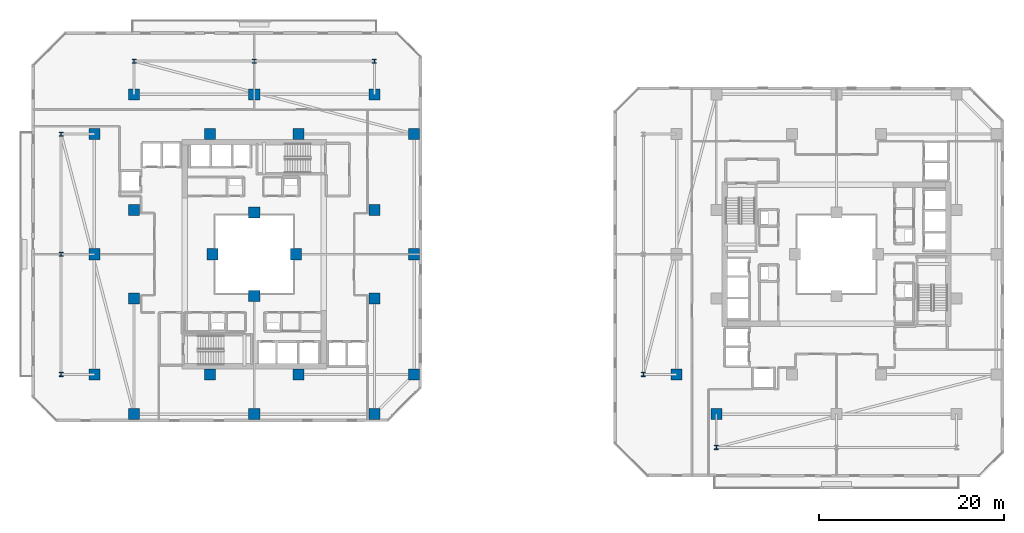
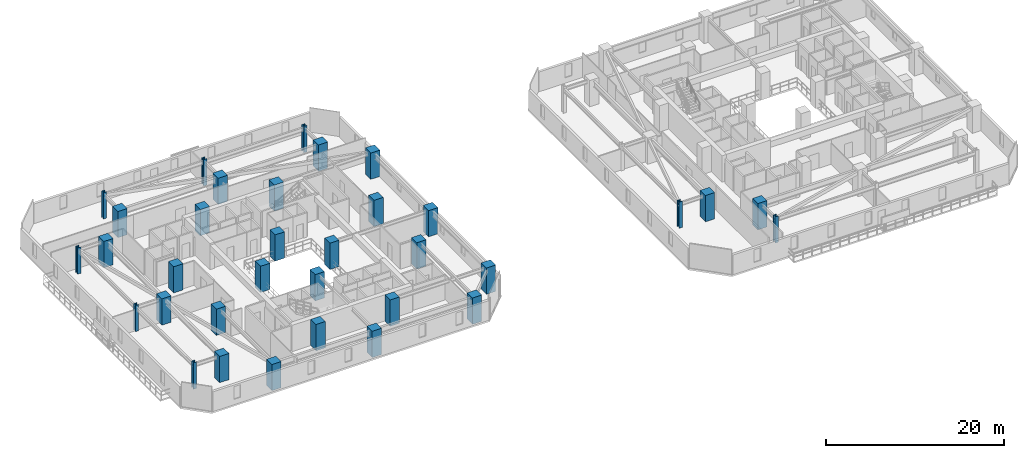
# One storey, part 1 of 33: 34 columns.
"""IFC4 building model written with IfcOpenShell, lengths in metres."""

from ifc_helpers import new_model, si_unit, direction, frame, origin, origin_2d, place, context, subcontext, project, spatial, rectangle, i_section, extrude, material, material_profile, profile_set, type_object, element, save


model = new_model("IFC4")

# Units and contexts
model_context = context("Model", 3, precision=1e-05, world=origin(), true_north=direction((0.0, 1.0)))
body_context = subcontext(model_context, "Body", "Model", "MODEL_VIEW")
ifc_project = project(units=[si_unit("LENGTHUNIT", "METRE"), si_unit("AREAUNIT", "SQUARE_METRE"), si_unit("VOLUMEUNIT", "CUBIC_METRE"), si_unit("PLANEANGLEUNIT", "RADIAN"), si_unit("MASSUNIT", "GRAM", prefix="KILO")], contexts=[model_context])

# Site, building, storey
site_placement = place(None, origin())
site = spatial("IfcSite", under=ifc_project, at=site_placement, CompositionType="ELEMENT")
building_placement = place(site_placement, origin())
building = spatial("IfcBuilding", under=site, at=building_placement, Name="Thornwick Lancets Civic Towers", CompositionType="ELEMENT")
storey_placement = place(building_placement, frame((0.0, 0.0, 105.300048828125)))
storey = spatial("IfcBuildingStorey", under=building, at=storey_placement, Name="L27", CompositionType="ELEMENT", Elevation=105.300048828125)

# Columns
ifc_material_1 = material(Name="Concrete C60/75", Category="concrete")
ifc_material_profile_1 = material_profile(ifc_material_1, rectangle(XDim=1.199951171875, YDim=1.199951171875, at=origin_2d()), Name="RC 1200x1200")
ifc_profile_set_1 = profile_set([ifc_material_profile_1], Name="Concrete C60/75")
column_type_1 = type_object("IfcColumnType", Name="COL_RC_1200", PredefinedType="COLUMN", material=ifc_profile_set_1)
for number, where, z_axis, x_axis, name in (
    (1, (12.5, 9.699951171875, 0.0), (0.0, 0.0, 1.0), (1.0, 0.0, 0.0), "L27 Spine Mega-Column A01"),
    (2, (25.5, 9.699951171875, 0.0), (0.0, 0.0, 1.0), (1.0, 0.0, 0.0), "L27 Spine Mega-Column A02"),
    (3, (38.5, 9.699951171875, 0.0), (0.0, 0.0, 1.0), (1.0, 0.0, 0.0), "L27 Spine Mega-Column A03"),
    (4, (42.800048828125, 14.0, 0.0), (0.0, 0.0, 1.0), (1.0, 0.0, 0.0), "L27 Spine Mega-Column A04"),
    (5, (42.800048828125, 27.0, 0.0), (0.0, 0.0, 1.0), (1.0, 0.0, 0.0), "L27 Spine Mega-Column A05"),
    (6, (42.800048828125, 40.0, 0.0), (0.0, 0.0, 1.0), (1.0, 0.0, 0.0), "L27 Spine Mega-Column A06"),
    (7, (12.5, 44.300048828125, 0.0), (0.0, 0.0, 1.0), (1.0, 0.0, 0.0), "L27 Spine Mega-Column A07"),
    (8, (25.5, 44.300048828125, 0.0), (0.0, 0.0, 1.0), (1.0, 0.0, 0.0), "L27 Spine Mega-Column A08"),
    (9, (38.5, 44.300048828125, 0.0), (0.0, 0.0, 1.0), (1.0, 0.0, 0.0), "L27 Spine Mega-Column A09"),
    (10, (8.199951171875, 14.0, 0.0), (0.0, 0.0, 1.0), (1.0, 0.0, 0.0), "L27 Spine Mega-Column A10"),
    (11, (8.199951171875, 27.0, 0.0), (0.0, 0.0, 1.0), (1.0, 0.0, 0.0), "L27 Spine Mega-Column A11"),
    (12, (8.199951171875, 40.0, 0.0), (0.0, 0.0, 1.0), (1.0, 0.0, 0.0), "L27 Spine Mega-Column A12"),
    (13, (12.5, 22.199951171875, 0.0), (0.0, 0.0, 1.0), (1.0, 0.0, 0.0), "L27 Spine Mega-Column A13"),
    (14, (38.5, 22.199951171875, 0.0), (0.0, 0.0, 1.0), (1.0, 0.0, 0.0), "L27 Spine Mega-Column A14"),
    (15, (12.5, 31.800048828125, 0.0), (0.0, 0.0, 1.0), (1.0, 0.0, 0.0), "L27 Spine Mega-Column A15"),
    (16, (38.5, 31.800048828125, 0.0), (0.0, 0.0, 1.0), (1.0, 0.0, 0.0), "L27 Spine Mega-Column A16"),
    (17, (20.699951171875, 14.0, 0.0), (0.0, 0.0, 1.0), (1.0, 0.0, 0.0), "L27 Spine Mega-Column A17"),
    (18, (30.300048828125, 14.0, 0.0), (0.0, 0.0, 1.0), (1.0, 0.0, 0.0), "L27 Spine Mega-Column A18"),
    (19, (20.699951171875, 40.0, 0.0), (0.0, 0.0, 1.0), (1.0, 0.0, 0.0), "L27 Spine Mega-Column A19"),
    (20, (30.300048828125, 40.0, 0.0), (0.0, 0.0, 1.0), (1.0, 0.0, 0.0), "L27 Spine Mega-Column A20"),
    (21, (25.5, 22.5, 0.0), (0.0, 0.0, 1.0), (1.0, 0.0, 0.0), "L27 Spine Mega-Column A21"),
    (22, (25.5, 31.5, 0.0), (0.0, 0.0, 1.0), (1.0, 0.0, 0.0), "L27 Spine Mega-Column A22"),
    (23, (21.0, 27.0, 0.0), (0.0, 0.0, 1.0), (1.0, 0.0, 0.0), "L27 Spine Mega-Column A23"),
    (24, (30.0, 27.0, 0.0), (0.0, 0.0, 1.0), (1.0, 0.0, 0.0), "L27 Spine Mega-Column A24"),
    (25, (71.199951171875, 14.0, 0.0), (0.0, 0.0, 1.0), (1.0, 0.0, 0.0), "L27 Spine Mega-Column B07"),
    (26, (75.5, 9.699951171875, 0.0), (0.0, 0.0, 1.0), (1.0, 0.0, 0.0), "L27 Spine Mega-Column B12"),
):
    element("IfcColumn", number, at=place(storey_placement, frame(where, z_axis=z_axis, x_axis=x_axis)), inside=storey, type_object=column_type_1, Name=name, PredefinedType="COLUMN", context=body_context, shape_type="SweptSolid", body=[
        extrude(rectangle(XDim=1.199951171875, YDim=1.199951171875, at=origin_2d()), origin(), (0.0, 0.0, 1.0), 3.599853515625),
    ])
ifc_material_2 = material(Name="Steel S460M", Category="steel")
ifc_material_profile_2 = material_profile(ifc_material_2, i_section(OverallWidth=0.41845703125, OverallDepth=0.45556640625, WebThickness=0.0419921875, FlangeThickness=0.0673828125, FilletRadius=0.01513671875, at=origin_2d()), Name="UKC 356x406x551")
ifc_profile_set_2 = profile_set([ifc_material_profile_2], Name="Steel S460M")
column_type_2 = type_object("IfcColumnType", Name="COL_UKC_551", PredefinedType="COLUMN", material=ifc_profile_set_2)
for number, where, z_axis, x_axis, name in (
    (27, (12.5, 47.89990234375, 0.0), (0.0, 0.0, 1.0), (1.0, 0.0, 0.0), "L27 Block Perimeter Column A07"),
    (28, (25.5, 47.89990234375, 0.0), (0.0, 0.0, 1.0), (1.0, 0.0, 0.0), "L27 Block Perimeter Column A08"),
    (29, (38.5, 47.89990234375, 0.0), (0.0, 0.0, 1.0), (1.0, 0.0, 0.0), "L27 Block Perimeter Column A09"),
    (30, (4.60009765625, 14.0, 0.0), (0.0, 0.0, 1.0), (1.0, 0.0, 0.0), "L27 Block Perimeter Column A10"),
    (31, (4.60009765625, 27.0, 0.0), (0.0, 0.0, 1.0), (1.0, 0.0, 0.0), "L27 Block Perimeter Column A11"),
    (32, (4.60009765625, 40.0, 0.0), (0.0, 0.0, 1.0), (1.0, 0.0, 0.0), "L27 Block Perimeter Column A12"),
    (33, (67.60009765625, 14.0, 0.0), (0.0, 0.0, 1.0), (1.0, 0.0, 0.0), "L27 Block Perimeter Column B07"),
    (34, (75.5, 6.10009765625, 0.0), (0.0, 0.0, 1.0), (1.0, 0.0, 0.0), "L27 Block Perimeter Column B12"),
):
    element("IfcColumn", number, at=place(storey_placement, frame(where, z_axis=z_axis, x_axis=x_axis)), inside=storey, type_object=column_type_2, Name=name, PredefinedType="COLUMN", context=body_context, shape_type="SweptSolid", body=[
        extrude(i_section(OverallWidth=0.41845703125, OverallDepth=0.45556640625, WebThickness=0.0419921875, FlangeThickness=0.0673828125, FilletRadius=0.01513671875, at=origin_2d()), origin(), (0.0, 0.0, 1.0), 3.599853515625),
    ])

save(model, "model.ifc")
